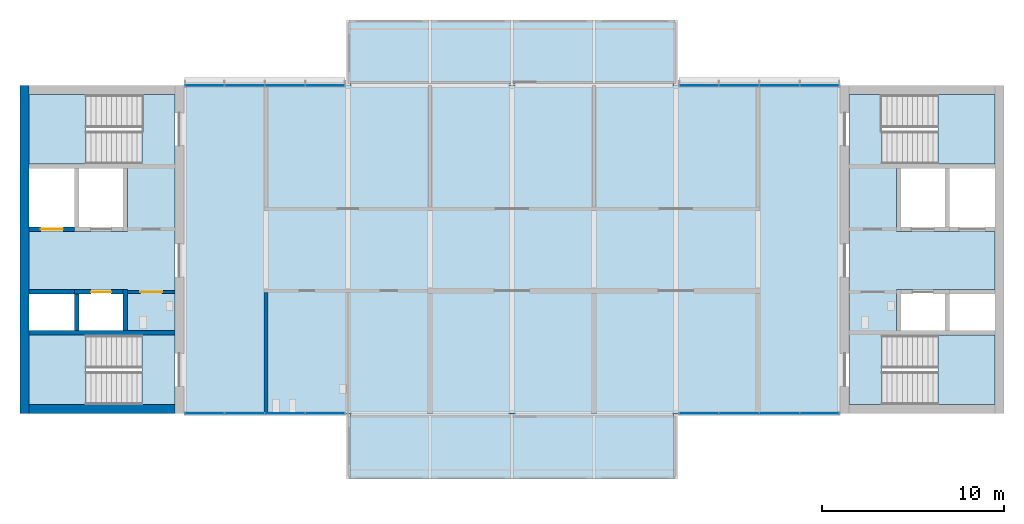
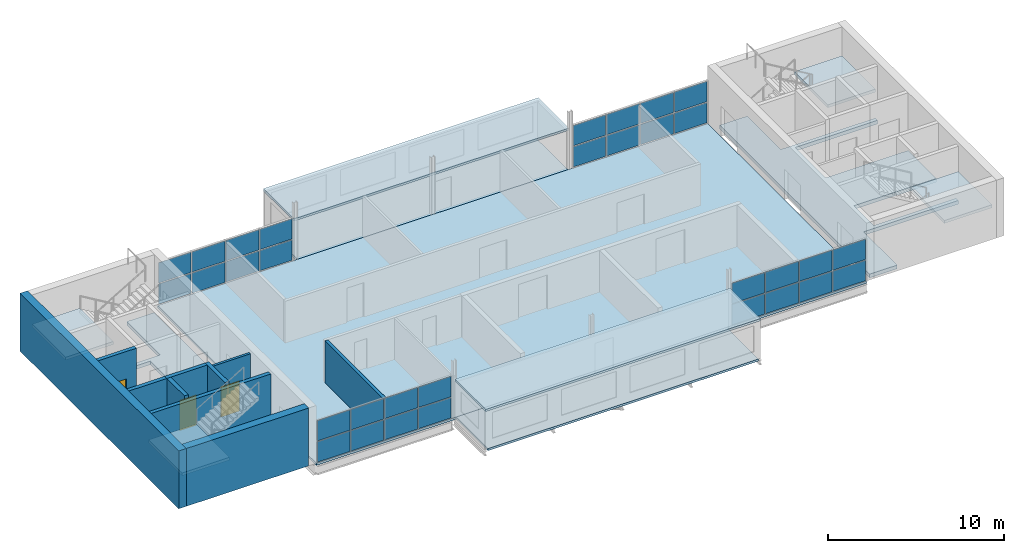
# One storey, part 4 of 10: 32 plates, 11 slabs, 10 walls, 3 doors, 3 openings, 8 elements without a shape of their own.
"""IFC4 building model written with IfcOpenShell, lengths in metres."""

import ifcopenshell
import ifcopenshell.guid

model = None  # the IFC model being written
_history = None  # IfcOwnerHistory: only IFC2X3 demands one
_inside = {}  # id of a spatial element -> (the spatial element, [elements in it])
_under = {}  # id of a project, library or spatial element -> (it, [spatial elements below it])
_declared = {}  # id of a project -> (the project, [libraries it declares])
_typed = {}  # id of a type object -> (the type object, [elements of that type])
_made_of = {}  # id of a material, layer set ... -> (it, [elements and type objects made of it])


def new_model(schema):
    """Start an empty IFC model of exactly this schema.

    Asked for "IFC4X3", IfcOpenShell would pick the latest addendum, in which some entities
    have other attributes; the version numbers below select the first issue.
    IFC2X3 requires an IfcOwnerHistory on every rooted entity: one is made here for all.
    """
    global model, _history
    if schema == "IFC4X3":
        model = ifcopenshell.file(schema_version=(4, 3, 0, 0))
    else:
        model = ifcopenshell.file(schema=schema)
    _inside.clear()
    _under.clear()
    _declared.clear()
    _typed.clear()
    _made_of.clear()
    _history = None
    if model.schema == "IFC2X3":
        org = make("IfcOrganization", Name="unknown")
        user = make(
            "IfcPersonAndOrganization",
            ThePerson=make("IfcPerson", FamilyName="unknown"),
            TheOrganization=org,
        )
        app = make(
            "IfcApplication",
            ApplicationDeveloper=org,
            Version="unknown",
            ApplicationFullName="unknown",
            ApplicationIdentifier="unknown",
        )
        _history = make(
            "IfcOwnerHistory",
            OwningUser=user,
            OwningApplication=app,
            ChangeAction="ADDED",
            CreationDate=0,
        )
    return model


def make(cls, **values):
    """One entity of the class cls with the attributes given. An attribute that is None is left unset."""
    return model.create_entity(
        cls, **{name: value for name, value in values.items() if value is not None}
    )


def rooted(cls, **values):
    """An entity with a GlobalId (a new one), such as an element, a storey or a relation."""
    return make(cls, GlobalId=ifcopenshell.guid.new(), OwnerHistory=_history, **values)


def si_unit(unit_type, name, prefix=None):
    """IfcSIUnit, for example si_unit("LENGTHUNIT", "METRE", prefix="MILLI")."""
    return make("IfcSIUnit", UnitType=unit_type, Prefix=prefix, Name=name)


def assignment(units):
    """IfcUnitAssignment: the units of a project."""
    return None if units is None else make("IfcUnitAssignment", Units=units)


def point(xyz):
    """IfcCartesianPoint."""
    return None if xyz is None else make("IfcCartesianPoint", Coordinates=xyz)


def direction(xyz):
    """IfcDirection."""
    return None if xyz is None else make("IfcDirection", DirectionRatios=xyz)


def frame(location, z_axis=None, x_axis=None):
    """IfcAxis2Placement3D, a coordinate frame: its origin and axes. An axis left out is left unset."""
    return make(
        "IfcAxis2Placement3D",
        Location=point(location),
        Axis=direction(z_axis),
        RefDirection=direction(x_axis),
    )


def frame_2d(location, x_axis=None):
    """IfcAxis2Placement2D, a coordinate frame in the plane: its origin and x axis."""
    return make(
        "IfcAxis2Placement2D", Location=point(location), RefDirection=direction(x_axis)
    )


def origin():
    """The frame at (0, 0, 0) with its axes left unset."""
    return frame((0.0, 0.0, 0.0))


def origin_2d():
    """The frame at (0, 0) in the plane with its x axis left unset."""
    return frame_2d((0.0, 0.0))


def place(relative_to, where):
    """IfcLocalPlacement: puts the frame where relative to a parent placement (None: the world)."""
    return make(
        "IfcLocalPlacement", PlacementRelTo=relative_to, RelativePlacement=where
    )


def context(
    kind, dimensions, precision=None, world=None, true_north=None, identifier=None
):
    """IfcGeometricRepresentationContext, for example the 3D "Model" context."""
    return make(
        "IfcGeometricRepresentationContext",
        ContextIdentifier=identifier,
        ContextType=kind,
        CoordinateSpaceDimension=dimensions,
        Precision=precision,
        WorldCoordinateSystem=world,
        TrueNorth=true_north,
    )


def subcontext(parent, identifier, kind, view, scale=None):
    """IfcGeometricRepresentationSubContext, for example "Body" below "Model"."""
    return make(
        "IfcGeometricRepresentationSubContext",
        ContextIdentifier=identifier,
        ContextType=kind,
        ParentContext=parent,
        TargetScale=scale,
        TargetView=view,
    )


def project(units=None, contexts=None):
    """IfcProject with its units and contexts."""
    return rooted(
        "IfcProject",
        Name="project",
        RepresentationContexts=contexts,
        UnitsInContext=assignment(units),
    )


def spatial(cls, under=None, at=None, **own):
    """A site, building, storey or space (cls), placed at a placement, below another one or the project."""
    s = rooted(cls, ObjectPlacement=at, **own)
    if under is not None:
        _under.setdefault(under.id(), (under, []))[1].append(s)
    return s


def polyline(points):
    """IfcPolyline through the points."""
    return make("IfcPolyline", Points=[point(p) for p in points])


def profile(cls, at=None, kind="AREA", **sizes):
    """A parametric profile (cls). Its sizes go by their IFC names, for example OverallWidth=200.0."""
    return make(cls, ProfileType=kind, Position=at, **sizes)


def rectangle(**sizes):
    """IfcRectangleProfileDef."""
    return profile("IfcRectangleProfileDef", **sizes)


def outline(outer, holes=None, kind="AREA"):
    """IfcArbitraryClosedProfileDef: a profile drawn as a closed curve; with holes, ...WithVoids."""
    if holes is None:
        return make("IfcArbitraryClosedProfileDef", ProfileType=kind, OuterCurve=outer)
    return make(
        "IfcArbitraryProfileDefWithVoids",
        ProfileType=kind,
        OuterCurve=outer,
        InnerCurves=holes,
    )


def extrude(swept, where, along, depth):
    """IfcExtrudedAreaSolid: the profile swept, set in the frame where, extruded along a direction by depth."""
    return make(
        "IfcExtrudedAreaSolid",
        SweptArea=swept,
        Position=where,
        ExtrudedDirection=direction(along),
        Depth=depth,
    )


def shape(context_of_items, identifier, shape_type, items):
    """IfcShapeRepresentation: the items that make up one representation, for example the "Body"."""
    return make(
        "IfcShapeRepresentation",
        ContextOfItems=context_of_items,
        RepresentationIdentifier=identifier,
        RepresentationType=shape_type,
        Items=items,
    )


def material(Name=None, Category=None):
    """IfcMaterial."""
    return make("IfcMaterial", Name=Name, Category=Category)


def layer(
    of_material, thickness, ventilated=None, Name=None, Category=None, Priority=None
):
    """IfcMaterialLayer: one layer of a wall or slab, of a material (None: an air gap)."""
    return make(
        "IfcMaterialLayer",
        Material=of_material,
        LayerThickness=thickness,
        IsVentilated=ventilated,
        Name=Name,
        Category=Category,
        Priority=Priority,
    )


def layer_set(layers, Name=None):
    """IfcMaterialLayerSet."""
    return make("IfcMaterialLayerSet", MaterialLayers=layers, LayerSetName=Name)


def made_of(thing, what):
    """Note that an element or type object is made of a material, layer set ...; save() writes the relation."""
    if what is not None:
        _made_of.setdefault(what.id(), (what, []))[1].append(thing)
    return thing


def type_object(cls, material=None, **own):
    """A type object (cls), such as IfcWallType, which elements share."""
    return made_of(rooted(cls, **own), material)


def element(
    cls,
    number,
    at=None,
    inside=None,
    cuts=None,
    type_object=None,
    material=None,
    context=None,
    identifier="Body",
    shape_type=None,
    held_by="IfcProductDefinitionShape",
    body=None,
    shapes=None,
    **own,
):
    """One element of the class cls, such as IfcWall. Its Tag is "e" and its number.

    at: its placement. inside: the storey or other place that contains it. cuts: it is an
    opening in that element (IfcRelVoidsElement). A single representation is given by context,
    identifier, shape_type and body (its items); several are given by shapes. held_by: the class
    of the entity that holds the representations. save() writes the other relations.
    """
    e = rooted(cls, Tag="e%d" % number, ObjectPlacement=at, **own)
    if body is not None:
        shapes = [shape(context, identifier, shape_type, body)]
    if shapes is not None:
        e.Representation = make(held_by, Representations=shapes)
    if inside is not None:
        _inside.setdefault(inside.id(), (inside, []))[1].append(e)
    if cuts is not None:
        rooted(
            "IfcRelVoidsElement", RelatingBuildingElement=cuts, RelatedOpeningElement=e
        )
    if type_object is not None:
        _typed.setdefault(type_object.id(), (type_object, []))[1].append(e)
    return made_of(e, material)


def fill(opening, filler):
    """IfcRelFillsElement: the door or window that sits in an opening."""
    return rooted(
        "IfcRelFillsElement",
        RelatingOpeningElement=opening,
        RelatedBuildingElement=filler,
    )


def aggregate(whole, parts):
    """IfcRelAggregates: a whole, such as a stair, and the parts it consists of."""
    return rooted("IfcRelAggregates", RelatingObject=whole, RelatedObjects=parts)


def save(model, path):
    """Write the relations noted so far, then the file.

    IfcRelAggregates (storeys below a building ...), IfcRelContainedInSpatialStructure (elements
    in a storey), IfcRelDefinesByType, IfcRelAssociatesMaterial and IfcRelDeclares: one each for
    every whole, place, type object, material and project.
    """
    for whole, parts in _under.values():
        aggregate(whole, parts)
    for where, things in _inside.values():
        rooted(
            "IfcRelContainedInSpatialStructure",
            RelatedElements=things,
            RelatingStructure=where,
        )
    for kind, things in _typed.values():
        rooted("IfcRelDefinesByType", RelatedObjects=things, RelatingType=kind)
    for what, things in _made_of.values():
        rooted("IfcRelAssociatesMaterial", RelatedObjects=things, RelatingMaterial=what)
    for by, libraries in _declared.values():
        rooted("IfcRelDeclares", RelatingContext=by, RelatedDefinitions=libraries)
    model.write(path)


model = new_model("IFC4")

# Units and contexts
model_context = context("Model", 3, precision=1e-05, world=origin(), true_north=direction((0.0, 1.0)))
body_context = subcontext(model_context, "Body", "Model", "MODEL_VIEW")
ifc_project = project(units=[si_unit("LENGTHUNIT", "METRE"), si_unit("AREAUNIT", "SQUARE_METRE"), si_unit("VOLUMEUNIT", "CUBIC_METRE"), si_unit("PLANEANGLEUNIT", "RADIAN"), si_unit("MASSUNIT", "GRAM", prefix="KILO")], contexts=[model_context])

# Site, building, storey
site_placement = place(None, origin())
site = spatial("IfcSite", under=ifc_project, at=site_placement, CompositionType="ELEMENT")
building_placement = place(site_placement, origin())
building = spatial("IfcBuilding", under=site, at=building_placement, Name="Corbel Yard City Hall", CompositionType="ELEMENT")
storey_placement = place(building_placement, frame((0.0, 0.0, 67.199951171875)))
storey = spatial("IfcBuildingStorey", under=building, at=storey_placement, Name="L16", CompositionType="ELEMENT", Elevation=67.199951171875)

# Slabs
ifc_material_1 = material(Name="Concrete N40 (40 MPa)", Category="concrete")
ifc_layer_1 = layer(ifc_material_1, 0.25)
ifc_layer_set_1 = layer_set([ifc_layer_1], Name="Concrete N40 (40 MPa)")
slab_type_1 = type_object("IfcSlabType", Name="CF1", PredefinedType="FLOOR", material=ifc_layer_set_1)
slab_1_placement = place(storey_placement, frame((0.0, 0.0, -0.25)))
element("IfcSlab", 1, at=slab_1_placement, inside=storey, type_object=slab_type_1, Name="Core floor slab", PredefinedType="FLOOR", context=body_context, shape_type="SweptSolid", body=[
    extrude(outline(polyline([(8.5, 116.5), (6.698974609375, 116.5), (6.698974609375, 112.699951171875), (0.5, 112.699951171875), (0.5, 112.449951171875), (5.89990234375, 112.449951171875), (5.89990234375, 109.0), (0.5, 109.0), (0.5, 105.800048828125), (5.89990234375, 105.800048828125), (5.89990234375, 103.550048828125), (0.5, 103.550048828125), (0.5, 103.300048828125), (6.698974609375, 103.300048828125), (6.698974609375, 99.5), (8.5, 99.5), (8.5, 116.5)])), origin(), (0.0, 0.0, 1.0), 0.25),
])
slab_2_placement = place(storey_placement, frame((0.0, 0.0, -0.25)))
element("IfcSlab", 2, at=slab_2_placement, inside=storey, type_object=slab_type_1, Name="Core floor slab", PredefinedType="FLOOR", context=body_context, shape_type="SweptSolid", body=[
    extrude(outline(polyline([(53.5, 103.300048828125), (53.5, 103.550048828125), (48.10009765625, 103.550048828125), (48.10009765625, 105.800048828125), (53.5, 105.800048828125), (53.5, 109.0), (48.10009765625, 109.0), (48.10009765625, 112.449951171875), (53.5, 112.449951171875), (53.5, 112.699951171875), (47.301025390625, 112.699951171875), (47.301025390625, 116.5), (45.5, 116.5), (45.5, 99.5), (47.301025390625, 99.5), (47.301025390625, 103.300048828125), (53.5, 103.300048828125)])), origin(), (0.0, 0.0, 1.0), 0.25),
])
ifc_layer_2 = layer(ifc_material_1, 0.14990234375)
ifc_layer_set_2 = layer_set([ifc_layer_2], Name="Concrete N40 (40 MPa)")
slab_type_2 = type_object("IfcSlabType", Name="Floor slab 150", PredefinedType="FLOOR", material=ifc_layer_set_2)
slab_3_placement = place(storey_placement, frame((0.0, 0.0, -0.14990234375)))
element("IfcSlab", 3, at=slab_3_placement, inside=storey, type_object=slab_type_2, Name="Tower floor slab L16", PredefinedType="FLOOR", context=body_context, shape_type="SweptSolid", body=[
    extrude(outline(polyline([(45.0, 99.0), (45.0, 117.0), (9.0, 117.0), (9.0, 99.0), (45.0, 99.0)])), origin(), (0.0, 0.0, 1.0), 0.14990234375),
])

# Stair, slab
stair_type = type_object("IfcStairType", Name="ST4", PredefinedType="HALF_TURN_STAIR", material=ifc_material_1)
stair_1_placement = place(storey_placement, origin())
stair_1 = element("IfcStair", 4, at=stair_1_placement, inside=storey, type_object=stair_type, Name="Exit stair ST-W1 L16", PredefinedType="HALF_TURN_STAIR")
ifc_layer_3 = layer(ifc_material_1, 0.199951171875)
ifc_layer_set_3 = layer_set([ifc_layer_3], Name="Concrete N40 (40 MPa)")
slab_type_3 = type_object("IfcSlabType", Name="LN1", PredefinedType="LANDING", material=ifc_layer_set_3)
slab_4_placement = place(storey_placement, frame((0.0, 0.0, 1.800048828125)))
slab_4 = element("IfcSlab", 5, at=slab_4_placement, type_object=slab_type_3, Name="ST-W1 landing 1", PredefinedType="LANDING", context=body_context, shape_type="SweptSolid", body=[
    extrude(outline(polyline([(0.5, 99.5), (3.6201171875, 99.5), (3.6201171875, 103.300048828125), (0.5, 103.300048828125), (0.5, 99.5)])), origin(), (0.0, 0.0, 1.0), 0.199951171875),
])
aggregate(stair_1, [slab_4])

stair_2_placement = place(storey_placement, origin())
stair_2 = element("IfcStair", 6, at=stair_2_placement, inside=storey, type_object=stair_type, Name="Exit stair ST-W2 L16", PredefinedType="HALF_TURN_STAIR")
slab_5_placement = place(storey_placement, frame((0.0, 0.0, 1.800048828125)))
slab_5 = element("IfcSlab", 7, at=slab_5_placement, type_object=slab_type_3, Name="ST-W2 landing 1", PredefinedType="LANDING", context=body_context, shape_type="SweptSolid", body=[
    extrude(outline(polyline([(0.5, 112.699951171875), (3.6201171875, 112.699951171875), (3.6201171875, 116.5), (0.5, 116.5), (0.5, 112.699951171875)])), origin(), (0.0, 0.0, 1.0), 0.199951171875),
])
aggregate(stair_2, [slab_5])

stair_3_placement = place(storey_placement, origin())
stair_3 = element("IfcStair", 8, at=stair_3_placement, inside=storey, type_object=stair_type, Name="Exit stair ST-E1 L16", PredefinedType="HALF_TURN_STAIR")
slab_6_placement = place(storey_placement, frame((0.0, 0.0, 1.800048828125)))
slab_6 = element("IfcSlab", 9, at=slab_6_placement, type_object=slab_type_3, Name="ST-E1 landing 1", PredefinedType="LANDING", context=body_context, shape_type="SweptSolid", body=[
    extrude(outline(polyline([(50.3798828125, 99.5), (53.5, 99.5), (53.5, 103.300048828125), (50.3798828125, 103.300048828125), (50.3798828125, 99.5)])), origin(), (0.0, 0.0, 1.0), 0.199951171875),
])
aggregate(stair_3, [slab_6])

stair_4_placement = place(storey_placement, origin())
stair_4 = element("IfcStair", 10, at=stair_4_placement, inside=storey, type_object=stair_type, Name="Exit stair ST-E2 L16", PredefinedType="HALF_TURN_STAIR")
slab_7_placement = place(storey_placement, frame((0.0, 0.0, 1.800048828125)))
slab_7 = element("IfcSlab", 11, at=slab_7_placement, type_object=slab_type_3, Name="ST-E2 landing 1", PredefinedType="LANDING", context=body_context, shape_type="SweptSolid", body=[
    extrude(outline(polyline([(50.3798828125, 112.699951171875), (53.5, 112.699951171875), (53.5, 116.5), (50.3798828125, 116.5), (50.3798828125, 112.699951171875)])), origin(), (0.0, 0.0, 1.0), 0.199951171875),
])
aggregate(stair_4, [slab_7])

# Slabs
ifc_material_2 = material(Name="Concrete N32 (32 MPa)", Category="concrete")
ifc_layer_4 = layer(ifc_material_2, 0.14990234375)
ifc_layer_set_4 = layer_set([ifc_layer_4], Name="Concrete N32 (32 MPa)")
slab_type_4 = type_object("IfcSlabType", Name="PF1", PredefinedType="FLOOR", material=ifc_layer_set_4)
slab_8_placement = place(storey_placement, frame((0.0, 0.0, -0.14990234375)))
element("IfcSlab", 12, at=slab_8_placement, inside=storey, type_object=slab_type_4, Name="Pod floor slab L16", PredefinedType="FLOOR", context=body_context, shape_type="SweptSolid", body=[
    extrude(outline(polyline([(18.14990234375, 95.39990234375), (35.85009765625, 95.39990234375), (35.85009765625, 99.0), (18.14990234375, 99.0), (18.14990234375, 95.39990234375)])), origin(), (0.0, 0.0, 1.0), 0.14990234375),
])
slab_9_placement = place(storey_placement, frame((0.0, 0.0, -0.14990234375)))
element("IfcSlab", 13, at=slab_9_placement, inside=storey, type_object=slab_type_4, Name="Pod floor slab L16", PredefinedType="FLOOR", context=body_context, shape_type="SweptSolid", body=[
    extrude(outline(polyline([(18.14990234375, 117.0), (35.85009765625, 117.0), (35.85009765625, 120.60009765625), (18.14990234375, 120.60009765625), (18.14990234375, 117.0)])), origin(), (0.0, 0.0, 1.0), 0.14990234375),
])
ifc_layer_5 = layer(ifc_material_2, 0.14990234375)
ifc_layer_set_5 = layer_set([ifc_layer_5], Name="Concrete N32 (32 MPa)")
slab_type_5 = type_object("IfcSlabType", Name="PH1", PredefinedType="ROOF", material=ifc_layer_set_5)
slab_10_placement = place(storey_placement, frame((0.0, 0.0, 2.60009765625)))
element("IfcSlab", 14, at=slab_10_placement, inside=storey, type_object=slab_type_5, Name="Pod roof slab L16", PredefinedType="ROOF", context=body_context, shape_type="SweptSolid", body=[
    extrude(outline(polyline([(18.0, 95.39990234375), (36.0, 95.39990234375), (36.0, 98.8720703125), (18.0, 98.8720703125), (18.0, 95.39990234375)])), origin(), (0.0, 0.0, 1.0), 0.14990234375),
])
slab_11_placement = place(storey_placement, frame((0.0, 0.0, 2.60009765625)))
element("IfcSlab", 15, at=slab_11_placement, inside=storey, type_object=slab_type_5, Name="Pod roof slab L16", PredefinedType="ROOF", context=body_context, shape_type="SweptSolid", body=[
    extrude(outline(polyline([(18.0, 120.60009765625), (18.0, 117.1279296875), (36.0, 117.1279296875), (36.0, 120.60009765625), (18.0, 120.60009765625)])), origin(), (0.0, 0.0, 1.0), 0.14990234375),
])

# Curtain wall, plates
ifc_material_3 = material(Name="Aluminium extrusion", Category="aluminium")
ifc_layer_6 = layer(ifc_material_3, 0.14990234375)
ifc_layer_set_6 = layer_set([ifc_layer_6], Name="Aluminium extrusion")
curtain_wall_type_1 = type_object("IfcCurtainWallType", Name="CW2", PredefinedType="USERDEFINED", material=ifc_layer_set_6)
curtain_wall_1_placement = place(storey_placement, origin())
curtain_wall_1 = element("IfcCurtainWall", 16, at=curtain_wall_1_placement, inside=storey, type_object=curtain_wall_type_1, Name="Curtain wall CW2 L16", ObjectType="CURTAIN WALL", PredefinedType="USERDEFINED")
ifc_material_4 = material(Name="Double glazed low-e glass unit", Category="glass")
ifc_layer_7 = layer(ifc_material_4, 0.028076171875)
ifc_layer_set_7 = layer_set([ifc_layer_7], Name="Double glazed low-e glass unit")
plate_type_1 = type_object("IfcPlateType", Name="PN2", PredefinedType="CURTAIN_PANEL", material=ifc_layer_set_7)
plate_1_placement = place(storey_placement, frame((10.125, 99.0, 0.06494140625), z_axis=(0.0, 0.0, 1.0), x_axis=(1.0, 0.0, 0.0)))
plate_1 = element("IfcPlate", 17, at=plate_1_placement, type_object=plate_type_1, Name="CW2 panel 1.1", PredefinedType="CURTAIN_PANEL", context=body_context, shape_type="SweptSolid", body=[
    extrude(rectangle(XDim=2.1201171875, YDim=0.028076171875, at=origin_2d()), origin(), (0.0, 0.0, 1.0), 1.402587890625),
])
plate_2_placement = place(storey_placement, frame((10.125, 99.0, 1.53271484375), z_axis=(0.0, 0.0, 1.0), x_axis=(1.0, 0.0, 0.0)))
plate_2 = element("IfcPlate", 18, at=plate_2_placement, type_object=plate_type_1, Name="CW2 panel 1.2", PredefinedType="CURTAIN_PANEL", context=body_context, shape_type="SweptSolid", body=[
    extrude(rectangle(XDim=2.1201171875, YDim=0.028076171875, at=origin_2d()), origin(), (0.0, 0.0, 1.0), 1.402587890625),
])
plate_3_placement = place(storey_placement, frame((12.326171875, 99.0, 0.06494140625), z_axis=(0.0, 0.0, 1.0), x_axis=(1.0, 0.0, 0.0)))
plate_3 = element("IfcPlate", 19, at=plate_3_placement, type_object=plate_type_1, Name="CW2 panel 2.1", PredefinedType="CURTAIN_PANEL", context=body_context, shape_type="SweptSolid", body=[
    extrude(rectangle(XDim=2.152587890625, YDim=0.028076171875, at=origin_2d()), origin(), (0.0, 0.0, 1.0), 1.402587890625),
])
plate_4_placement = place(storey_placement, frame((12.326171875, 99.0, 1.53271484375), z_axis=(0.0, 0.0, 1.0), x_axis=(1.0, 0.0, 0.0)))
plate_4 = element("IfcPlate", 20, at=plate_4_placement, type_object=plate_type_1, Name="CW2 panel 2.2", PredefinedType="CURTAIN_PANEL", context=body_context, shape_type="SweptSolid", body=[
    extrude(rectangle(XDim=2.152587890625, YDim=0.028076171875, at=origin_2d()), origin(), (0.0, 0.0, 1.0), 1.402587890625),
])
plate_5_placement = place(storey_placement, frame((14.543701171875, 99.0, 0.06494140625), z_axis=(0.0, 0.0, 1.0), x_axis=(1.0, 0.0, 0.0)))
plate_5 = element("IfcPlate", 21, at=plate_5_placement, type_object=plate_type_1, Name="CW2 panel 3.1", PredefinedType="CURTAIN_PANEL", context=body_context, shape_type="SweptSolid", body=[
    extrude(rectangle(XDim=2.152587890625, YDim=0.028076171875, at=origin_2d()), origin(), (0.0, 0.0, 1.0), 1.402587890625),
])
plate_6_placement = place(storey_placement, frame((14.543701171875, 99.0, 1.53271484375), z_axis=(0.0, 0.0, 1.0), x_axis=(1.0, 0.0, 0.0)))
plate_6 = element("IfcPlate", 22, at=plate_6_placement, type_object=plate_type_1, Name="CW2 panel 3.2", PredefinedType="CURTAIN_PANEL", context=body_context, shape_type="SweptSolid", body=[
    extrude(rectangle(XDim=2.152587890625, YDim=0.028076171875, at=origin_2d()), origin(), (0.0, 0.0, 1.0), 1.402587890625),
])
plate_7_placement = place(storey_placement, frame((16.7451171875, 99.0, 0.06494140625), z_axis=(0.0, 0.0, 1.0), x_axis=(1.0, 0.0, 0.0)))
plate_7 = element("IfcPlate", 23, at=plate_7_placement, type_object=plate_type_1, Name="CW2 panel 4.1", PredefinedType="CURTAIN_PANEL", context=body_context, shape_type="SweptSolid", body=[
    extrude(rectangle(XDim=2.1201171875, YDim=0.028076171875, at=origin_2d()), origin(), (0.0, 0.0, 1.0), 1.402587890625),
])
plate_8_placement = place(storey_placement, frame((16.7451171875, 99.0, 1.53271484375), z_axis=(0.0, 0.0, 1.0), x_axis=(1.0, 0.0, 0.0)))
plate_8 = element("IfcPlate", 24, at=plate_8_placement, type_object=plate_type_1, Name="CW2 panel 4.2", PredefinedType="CURTAIN_PANEL", context=body_context, shape_type="SweptSolid", body=[
    extrude(rectangle(XDim=2.1201171875, YDim=0.028076171875, at=origin_2d()), origin(), (0.0, 0.0, 1.0), 1.402587890625),
])
aggregate(curtain_wall_1, [plate_1, plate_2, plate_3, plate_4, plate_5, plate_6, plate_7, plate_8])

curtain_wall_2_placement = place(storey_placement, origin())
curtain_wall_2 = element("IfcCurtainWall", 25, at=curtain_wall_2_placement, inside=storey, type_object=curtain_wall_type_1, Name="Curtain wall CW2 L16", ObjectType="CURTAIN WALL", PredefinedType="USERDEFINED")
plate_9_placement = place(storey_placement, frame((37.2548828125, 99.0, 0.06494140625), z_axis=(0.0, 0.0, 1.0), x_axis=(1.0, 0.0, 0.0)))
plate_9 = element("IfcPlate", 26, at=plate_9_placement, type_object=plate_type_1, Name="CW2 panel 1.1", PredefinedType="CURTAIN_PANEL", context=body_context, shape_type="SweptSolid", body=[
    extrude(rectangle(XDim=2.1201171875, YDim=0.028076171875, at=origin_2d()), origin(), (0.0, 0.0, 1.0), 1.402587890625),
])
plate_10_placement = place(storey_placement, frame((37.2548828125, 99.0, 1.53271484375), z_axis=(0.0, 0.0, 1.0), x_axis=(1.0, 0.0, 0.0)))
plate_10 = element("IfcPlate", 27, at=plate_10_placement, type_object=plate_type_1, Name="CW2 panel 1.2", PredefinedType="CURTAIN_PANEL", context=body_context, shape_type="SweptSolid", body=[
    extrude(rectangle(XDim=2.1201171875, YDim=0.028076171875, at=origin_2d()), origin(), (0.0, 0.0, 1.0), 1.402587890625),
])
plate_11_placement = place(storey_placement, frame((39.456298828125, 99.0, 0.06494140625), z_axis=(0.0, 0.0, 1.0), x_axis=(1.0, 0.0, 0.0)))
plate_11 = element("IfcPlate", 28, at=plate_11_placement, type_object=plate_type_1, Name="CW2 panel 2.1", PredefinedType="CURTAIN_PANEL", context=body_context, shape_type="SweptSolid", body=[
    extrude(rectangle(XDim=2.152587890625, YDim=0.028076171875, at=origin_2d()), origin(), (0.0, 0.0, 1.0), 1.402587890625),
])
plate_12_placement = place(storey_placement, frame((39.456298828125, 99.0, 1.53271484375), z_axis=(0.0, 0.0, 1.0), x_axis=(1.0, 0.0, 0.0)))
plate_12 = element("IfcPlate", 29, at=plate_12_placement, type_object=plate_type_1, Name="CW2 panel 2.2", PredefinedType="CURTAIN_PANEL", context=body_context, shape_type="SweptSolid", body=[
    extrude(rectangle(XDim=2.152587890625, YDim=0.028076171875, at=origin_2d()), origin(), (0.0, 0.0, 1.0), 1.402587890625),
])
plate_13_placement = place(storey_placement, frame((41.673828125, 99.0, 0.06494140625), z_axis=(0.0, 0.0, 1.0), x_axis=(1.0, 0.0, 0.0)))
plate_13 = element("IfcPlate", 30, at=plate_13_placement, type_object=plate_type_1, Name="CW2 panel 3.1", PredefinedType="CURTAIN_PANEL", context=body_context, shape_type="SweptSolid", body=[
    extrude(rectangle(XDim=2.152587890625, YDim=0.028076171875, at=origin_2d()), origin(), (0.0, 0.0, 1.0), 1.402587890625),
])
plate_14_placement = place(storey_placement, frame((41.673828125, 99.0, 1.53271484375), z_axis=(0.0, 0.0, 1.0), x_axis=(1.0, 0.0, 0.0)))
plate_14 = element("IfcPlate", 31, at=plate_14_placement, type_object=plate_type_1, Name="CW2 panel 3.2", PredefinedType="CURTAIN_PANEL", context=body_context, shape_type="SweptSolid", body=[
    extrude(rectangle(XDim=2.152587890625, YDim=0.028076171875, at=origin_2d()), origin(), (0.0, 0.0, 1.0), 1.402587890625),
])
plate_15_placement = place(storey_placement, frame((43.875, 99.0, 0.06494140625), z_axis=(0.0, 0.0, 1.0), x_axis=(1.0, 0.0, 0.0)))
plate_15 = element("IfcPlate", 32, at=plate_15_placement, type_object=plate_type_1, Name="CW2 panel 4.1", PredefinedType="CURTAIN_PANEL", context=body_context, shape_type="SweptSolid", body=[
    extrude(rectangle(XDim=2.1201171875, YDim=0.028076171875, at=origin_2d()), origin(), (0.0, 0.0, 1.0), 1.402587890625),
])
plate_16_placement = place(storey_placement, frame((43.875, 99.0, 1.53271484375), z_axis=(0.0, 0.0, 1.0), x_axis=(1.0, 0.0, 0.0)))
plate_16 = element("IfcPlate", 33, at=plate_16_placement, type_object=plate_type_1, Name="CW2 panel 4.2", PredefinedType="CURTAIN_PANEL", context=body_context, shape_type="SweptSolid", body=[
    extrude(rectangle(XDim=2.1201171875, YDim=0.028076171875, at=origin_2d()), origin(), (0.0, 0.0, 1.0), 1.402587890625),
])
aggregate(curtain_wall_2, [plate_9, plate_10, plate_11, plate_12, plate_13, plate_14, plate_15, plate_16])

ifc_layer_8 = layer(ifc_material_3, 0.179931640625)
ifc_layer_set_8 = layer_set([ifc_layer_8], Name="Aluminium extrusion")
curtain_wall_type_2 = type_object("IfcCurtainWallType", Name="CW6", PredefinedType="USERDEFINED", material=ifc_layer_set_8)
curtain_wall_3_placement = place(storey_placement, origin())
curtain_wall_3 = element("IfcCurtainWall", 34, at=curtain_wall_3_placement, inside=storey, type_object=curtain_wall_type_2, Name="Curtain wall CW6 L16", ObjectType="CURTAIN WALL", PredefinedType="USERDEFINED")
ifc_material_5 = material(Name="Double glazed low-e glass unit, ceramic fritted", Category="glass")
ifc_layer_9 = layer(ifc_material_5, 0.02392578125)
ifc_layer_set_9 = layer_set([ifc_layer_9], Name="Double glazed low-e glass unit, ceramic fritted")
plate_type_2 = type_object("IfcPlateType", Name="PN7", PredefinedType="CURTAIN_PANEL", material=ifc_layer_set_9)
plate_17_placement = place(storey_placement, frame((10.125, 117.0, 0.06494140625), z_axis=(0.0, 0.0, 1.0), x_axis=(1.0, 0.0, 0.0)))
plate_17 = element("IfcPlate", 35, at=plate_17_placement, type_object=plate_type_2, Name="CW6 panel 1.1", PredefinedType="CURTAIN_PANEL", context=body_context, shape_type="SweptSolid", body=[
    extrude(rectangle(XDim=2.1201171875, YDim=0.02392578125, at=origin_2d()), origin(), (0.0, 0.0, 1.0), 1.402587890625),
])
plate_18_placement = place(storey_placement, frame((10.125, 117.0, 1.53271484375), z_axis=(0.0, 0.0, 1.0), x_axis=(1.0, 0.0, 0.0)))
plate_18 = element("IfcPlate", 36, at=plate_18_placement, type_object=plate_type_2, Name="CW6 panel 1.2", PredefinedType="CURTAIN_PANEL", context=body_context, shape_type="SweptSolid", body=[
    extrude(rectangle(XDim=2.1201171875, YDim=0.02392578125, at=origin_2d()), origin(), (0.0, 0.0, 1.0), 1.402587890625),
])
plate_19_placement = place(storey_placement, frame((12.326171875, 117.0, 0.06494140625), z_axis=(0.0, 0.0, 1.0), x_axis=(1.0, 0.0, 0.0)))
plate_19 = element("IfcPlate", 37, at=plate_19_placement, type_object=plate_type_2, Name="CW6 panel 2.1", PredefinedType="CURTAIN_PANEL", context=body_context, shape_type="SweptSolid", body=[
    extrude(rectangle(XDim=2.152587890625, YDim=0.02392578125, at=origin_2d()), origin(), (0.0, 0.0, 1.0), 1.402587890625),
])
plate_20_placement = place(storey_placement, frame((12.326171875, 117.0, 1.53271484375), z_axis=(0.0, 0.0, 1.0), x_axis=(1.0, 0.0, 0.0)))
plate_20 = element("IfcPlate", 38, at=plate_20_placement, type_object=plate_type_2, Name="CW6 panel 2.2", PredefinedType="CURTAIN_PANEL", context=body_context, shape_type="SweptSolid", body=[
    extrude(rectangle(XDim=2.152587890625, YDim=0.02392578125, at=origin_2d()), origin(), (0.0, 0.0, 1.0), 1.402587890625),
])
plate_21_placement = place(storey_placement, frame((14.543701171875, 117.0, 0.06494140625), z_axis=(0.0, 0.0, 1.0), x_axis=(1.0, 0.0, 0.0)))
plate_21 = element("IfcPlate", 39, at=plate_21_placement, type_object=plate_type_2, Name="CW6 panel 3.1", PredefinedType="CURTAIN_PANEL", context=body_context, shape_type="SweptSolid", body=[
    extrude(rectangle(XDim=2.152587890625, YDim=0.02392578125, at=origin_2d()), origin(), (0.0, 0.0, 1.0), 1.402587890625),
])
plate_22_placement = place(storey_placement, frame((14.543701171875, 117.0, 1.53271484375), z_axis=(0.0, 0.0, 1.0), x_axis=(1.0, 0.0, 0.0)))
plate_22 = element("IfcPlate", 40, at=plate_22_placement, type_object=plate_type_2, Name="CW6 panel 3.2", PredefinedType="CURTAIN_PANEL", context=body_context, shape_type="SweptSolid", body=[
    extrude(rectangle(XDim=2.152587890625, YDim=0.02392578125, at=origin_2d()), origin(), (0.0, 0.0, 1.0), 1.402587890625),
])
plate_23_placement = place(storey_placement, frame((16.7451171875, 117.0, 0.06494140625), z_axis=(0.0, 0.0, 1.0), x_axis=(1.0, 0.0, 0.0)))
plate_23 = element("IfcPlate", 41, at=plate_23_placement, type_object=plate_type_2, Name="CW6 panel 4.1", PredefinedType="CURTAIN_PANEL", context=body_context, shape_type="SweptSolid", body=[
    extrude(rectangle(XDim=2.1201171875, YDim=0.02392578125, at=origin_2d()), origin(), (0.0, 0.0, 1.0), 1.402587890625),
])
plate_24_placement = place(storey_placement, frame((16.7451171875, 117.0, 1.53271484375), z_axis=(0.0, 0.0, 1.0), x_axis=(1.0, 0.0, 0.0)))
plate_24 = element("IfcPlate", 42, at=plate_24_placement, type_object=plate_type_2, Name="CW6 panel 4.2", PredefinedType="CURTAIN_PANEL", context=body_context, shape_type="SweptSolid", body=[
    extrude(rectangle(XDim=2.1201171875, YDim=0.02392578125, at=origin_2d()), origin(), (0.0, 0.0, 1.0), 1.402587890625),
])
aggregate(curtain_wall_3, [plate_17, plate_18, plate_19, plate_20, plate_21, plate_22, plate_23, plate_24])

curtain_wall_4_placement = place(storey_placement, origin())
curtain_wall_4 = element("IfcCurtainWall", 43, at=curtain_wall_4_placement, inside=storey, type_object=curtain_wall_type_2, Name="Curtain wall CW6 L16", ObjectType="CURTAIN WALL", PredefinedType="USERDEFINED")
plate_25_placement = place(storey_placement, frame((37.2548828125, 117.0, 0.06494140625), z_axis=(0.0, 0.0, 1.0), x_axis=(1.0, 0.0, 0.0)))
plate_25 = element("IfcPlate", 44, at=plate_25_placement, type_object=plate_type_2, Name="CW6 panel 1.1", PredefinedType="CURTAIN_PANEL", context=body_context, shape_type="SweptSolid", body=[
    extrude(rectangle(XDim=2.1201171875, YDim=0.02392578125, at=origin_2d()), origin(), (0.0, 0.0, 1.0), 1.402587890625),
])
plate_26_placement = place(storey_placement, frame((37.2548828125, 117.0, 1.53271484375), z_axis=(0.0, 0.0, 1.0), x_axis=(1.0, 0.0, 0.0)))
plate_26 = element("IfcPlate", 45, at=plate_26_placement, type_object=plate_type_2, Name="CW6 panel 1.2", PredefinedType="CURTAIN_PANEL", context=body_context, shape_type="SweptSolid", body=[
    extrude(rectangle(XDim=2.1201171875, YDim=0.02392578125, at=origin_2d()), origin(), (0.0, 0.0, 1.0), 1.402587890625),
])
plate_27_placement = place(storey_placement, frame((39.456298828125, 117.0, 0.06494140625), z_axis=(0.0, 0.0, 1.0), x_axis=(1.0, 0.0, 0.0)))
plate_27 = element("IfcPlate", 46, at=plate_27_placement, type_object=plate_type_2, Name="CW6 panel 2.1", PredefinedType="CURTAIN_PANEL", context=body_context, shape_type="SweptSolid", body=[
    extrude(rectangle(XDim=2.152587890625, YDim=0.02392578125, at=origin_2d()), origin(), (0.0, 0.0, 1.0), 1.402587890625),
])
plate_28_placement = place(storey_placement, frame((39.456298828125, 117.0, 1.53271484375), z_axis=(0.0, 0.0, 1.0), x_axis=(1.0, 0.0, 0.0)))
plate_28 = element("IfcPlate", 47, at=plate_28_placement, type_object=plate_type_2, Name="CW6 panel 2.2", PredefinedType="CURTAIN_PANEL", context=body_context, shape_type="SweptSolid", body=[
    extrude(rectangle(XDim=2.152587890625, YDim=0.02392578125, at=origin_2d()), origin(), (0.0, 0.0, 1.0), 1.402587890625),
])
plate_29_placement = place(storey_placement, frame((41.673828125, 117.0, 0.06494140625), z_axis=(0.0, 0.0, 1.0), x_axis=(1.0, 0.0, 0.0)))
plate_29 = element("IfcPlate", 48, at=plate_29_placement, type_object=plate_type_2, Name="CW6 panel 3.1", PredefinedType="CURTAIN_PANEL", context=body_context, shape_type="SweptSolid", body=[
    extrude(rectangle(XDim=2.152587890625, YDim=0.02392578125, at=origin_2d()), origin(), (0.0, 0.0, 1.0), 1.402587890625),
])
plate_30_placement = place(storey_placement, frame((41.673828125, 117.0, 1.53271484375), z_axis=(0.0, 0.0, 1.0), x_axis=(1.0, 0.0, 0.0)))
plate_30 = element("IfcPlate", 49, at=plate_30_placement, type_object=plate_type_2, Name="CW6 panel 3.2", PredefinedType="CURTAIN_PANEL", context=body_context, shape_type="SweptSolid", body=[
    extrude(rectangle(XDim=2.152587890625, YDim=0.02392578125, at=origin_2d()), origin(), (0.0, 0.0, 1.0), 1.402587890625),
])
plate_31_placement = place(storey_placement, frame((43.875, 117.0, 0.06494140625), z_axis=(0.0, 0.0, 1.0), x_axis=(1.0, 0.0, 0.0)))
plate_31 = element("IfcPlate", 50, at=plate_31_placement, type_object=plate_type_2, Name="CW6 panel 4.1", PredefinedType="CURTAIN_PANEL", context=body_context, shape_type="SweptSolid", body=[
    extrude(rectangle(XDim=2.1201171875, YDim=0.02392578125, at=origin_2d()), origin(), (0.0, 0.0, 1.0), 1.402587890625),
])
plate_32_placement = place(storey_placement, frame((43.875, 117.0, 1.53271484375), z_axis=(0.0, 0.0, 1.0), x_axis=(1.0, 0.0, 0.0)))
plate_32 = element("IfcPlate", 51, at=plate_32_placement, type_object=plate_type_2, Name="CW6 panel 4.2", PredefinedType="CURTAIN_PANEL", context=body_context, shape_type="SweptSolid", body=[
    extrude(rectangle(XDim=2.1201171875, YDim=0.02392578125, at=origin_2d()), origin(), (0.0, 0.0, 1.0), 1.402587890625),
])
aggregate(curtain_wall_4, [plate_25, plate_26, plate_27, plate_28, plate_29, plate_30, plate_31, plate_32])

# Walls
ifc_layer_10 = layer(ifc_material_1, 0.25)
ifc_layer_set_10 = layer_set([ifc_layer_10], Name="Concrete N40 (40 MPa)")
wall_type_1 = type_object("IfcWallType", Name="IW2", PredefinedType="SOLIDWALL", material=ifc_layer_set_10)
wall_1_placement = place(storey_placement, frame((8.5, 103.425048828125, 0.0), z_axis=(0.0, 0.0, 1.0), x_axis=(-1.0, 0.0, 0.0)))
element("IfcWall", 52, at=wall_1_placement, inside=storey, type_object=wall_type_1, Name="Stair enclosure wall", PredefinedType="SOLIDWALL", context=body_context, shape_type="SweptSolid", body=[
    extrude(rectangle(XDim=8.0, YDim=0.25, at=frame_2d((4.0, 0.0))), origin(), (0.0, 0.0, 1.0), 3.75),
])
wall_2_placement = place(storey_placement, frame((5.77490234375, 103.550048828125, 0.0), z_axis=(0.0, 0.0, 1.0), x_axis=(0.0, 1.0, 0.0)))
element("IfcWall", 53, at=wall_2_placement, inside=storey, type_object=wall_type_1, Name="Lift LP22 shaft wall", PredefinedType="SOLIDWALL", context=body_context, shape_type="SweptSolid", body=[
    extrude(rectangle(XDim=2.25, YDim=0.25, at=frame_2d((1.125, 0.0))), origin(), (0.0, 0.0, 1.0), 4.0),
])
wall_3_placement = place(storey_placement, frame((3.125, 103.550048828125, 0.0), z_axis=(0.0, 0.0, 1.0), x_axis=(0.0, 1.0, 0.0)))
element("IfcWall", 54, at=wall_3_placement, inside=storey, type_object=wall_type_1, Name="Lift LP22 shaft wall", PredefinedType="SOLIDWALL", context=body_context, shape_type="SweptSolid", body=[
    extrude(rectangle(XDim=2.0, YDim=0.25, at=frame_2d((1.0, 0.0))), origin(), (0.0, 0.0, 1.0), 4.0),
])

# Wall, opening, door
wall_4_placement = place(storey_placement, frame((5.64990234375, 105.675048828125, 0.0), z_axis=(0.0, 0.0, 1.0), x_axis=(-1.0, 0.0, 0.0)))
wall_4 = element("IfcWall", 55, at=wall_4_placement, inside=storey, type_object=wall_type_1, Name="Lift LP22 shaft wall", PredefinedType="SOLIDWALL", context=body_context, shape_type="SweptSolid", body=[
    extrude(rectangle(XDim=2.64990234375, YDim=0.25, at=frame_2d((1.324951171875, 0.0))), origin(), (0.0, 0.0, 1.0), 4.0),
])
opening_1_placement = place(wall_4_placement, frame((0.64990234375, 0.0, 0.0)))
opening_1 = element("IfcOpeningElement", 56, at=opening_1_placement, cuts=wall_4, Name="Opening L16-003", PredefinedType="OPENING", context=body_context, shape_type="SweptSolid", body=[
    extrude(rectangle(XDim=1.10009765625, YDim=2.10009765625, at=frame_2d((0.550048828125, 1.050048828125))), frame((0.0, 0.135009765625, 0.0), z_axis=(0.0, -1.0, 0.0), x_axis=(1.0, 0.0, 0.0)), (0.0, 0.0, 1.0), 0.27001953125),
])
ifc_material_6 = material(Name="Stainless steel Grade 316", Category="steel")
door_type_1 = type_object("IfcDoorType", Name="LD1", OperationType="DOUBLE_DOOR_SLIDING", PredefinedType="DOOR", material=ifc_material_6)
door_1_placement = place(opening_1_placement, origin())
door_1 = element("IfcDoor", 57, at=door_1_placement, inside=storey, type_object=door_type_1, Name="Lift LP22 landing door", OperationType="DOUBLE_DOOR_SLIDING", OverallHeight=2.10009765625, OverallWidth=1.10009765625, PredefinedType="DOOR", context=body_context, shape_type="SweptSolid", body=[
    extrude(rectangle(XDim=1.10009765625, YDim=2.10009765625, at=frame_2d((0.550048828125, 1.050048828125))), frame((0.0, 0.02490234375, 0.0), z_axis=(0.0, -1.0, 0.0), x_axis=(1.0, 0.0, 0.0)), (0.0, 0.0, 1.0), 0.050048828125),
])
fill(opening_1, door_1)

# Wall
wall_5_placement = place(storey_placement, frame((3.0, 105.675048828125, 0.0), z_axis=(0.0, 0.0, 1.0), x_axis=(-1.0, 0.0, 0.0)))
element("IfcWall", 58, at=wall_5_placement, inside=storey, type_object=wall_type_1, Name="Lift LP23 shaft wall", PredefinedType="SOLIDWALL", context=body_context, shape_type="SweptSolid", body=[
    extrude(rectangle(XDim=2.5, YDim=0.25, at=frame_2d((1.25, 0.0))), origin(), (0.0, 0.0, 1.0), 4.0),
])

# Wall, opening, door
wall_6_placement = place(storey_placement, frame((3.0, 109.125, 0.0), z_axis=(0.0, 0.0, 1.0), x_axis=(-1.0, 0.0, 0.0)))
wall_6 = element("IfcWall", 59, at=wall_6_placement, inside=storey, type_object=wall_type_1, Name="Lift LF1 shaft wall", PredefinedType="SOLIDWALL", context=body_context, shape_type="SweptSolid", body=[
    extrude(rectangle(XDim=2.5, YDim=0.25, at=frame_2d((1.25, 0.0))), origin(), (0.0, 0.0, 1.0), 4.0),
])
opening_2_placement = place(wall_6_placement, frame((0.64990234375, 0.0, 0.0)))
opening_2 = element("IfcOpeningElement", 60, at=opening_2_placement, cuts=wall_6, Name="Opening L16-005", PredefinedType="OPENING", context=body_context, shape_type="SweptSolid", body=[
    extrude(rectangle(XDim=1.199951171875, YDim=2.10009765625, at=frame_2d((0.60009765625, 1.050048828125))), frame((0.0, 0.135009765625, 0.0), z_axis=(0.0, -1.0, 0.0), x_axis=(1.0, 0.0, 0.0)), (0.0, 0.0, 1.0), 0.27001953125),
])
door_type_2 = type_object("IfcDoorType", Name="LD2", OperationType="DOUBLE_DOOR_SLIDING", PredefinedType="DOOR", material=ifc_material_6)
door_2_placement = place(opening_2_placement, origin())
door_2 = element("IfcDoor", 61, at=door_2_placement, inside=storey, type_object=door_type_2, Name="Lift LF1 landing door", OperationType="DOUBLE_DOOR_SLIDING", OverallHeight=2.10009765625, OverallWidth=1.199951171875, PredefinedType="DOOR", context=body_context, shape_type="SweptSolid", body=[
    extrude(rectangle(XDim=1.199951171875, YDim=2.10009765625, at=frame_2d((0.60009765625, 1.050048828125))), frame((0.0, 0.02490234375, 0.0), z_axis=(0.0, -1.0, 0.0), x_axis=(1.0, 0.0, 0.0)), (0.0, 0.0, 1.0), 0.050048828125),
])
fill(opening_2, door_2)

# Wall
ifc_material_7 = material(Name="Gypsum plasterboard", Category="gypsum")
ifc_layer_11 = layer(ifc_material_7, 0.031982421875)
ifc_material_8 = material(Name="Steel Grade G550 (550 MPa yield)", Category="steel")
ifc_layer_12 = layer(ifc_material_8, 0.135986328125)
ifc_layer_13 = layer(ifc_material_7, 0.031982421875)
ifc_layer_set_11 = layer_set([ifc_layer_11, ifc_layer_12, ifc_layer_13], Name="Steel Grade G550 (550 MPa yield)")
wall_type_2 = type_object("IfcWallType", Name="PT2", PredefinedType="PARTITIONING", material=ifc_layer_set_11)
wall_7_placement = place(storey_placement, frame((13.5, 99.074951171875, 0.0), z_axis=(0.0, 0.0, 1.0), x_axis=(0.0, 1.0, 0.0)))
element("IfcWall", 62, at=wall_7_placement, inside=storey, type_object=wall_type_2, Name="Acoustic wall", PredefinedType="PARTITIONING", context=body_context, shape_type="SweptSolid", body=[
    extrude(rectangle(XDim=6.574951171875, YDim=0.199951171875, at=frame_2d((3.28759765625, 0.0))), origin(), (0.0, 0.0, 1.0), 2.900146484375),
])

# Wall, opening, door
ifc_layer_14 = layer(ifc_material_7, 0.031982421875)
ifc_layer_15 = layer(ifc_material_8, 0.095947265625)
ifc_layer_16 = layer(ifc_material_7, 0.031982421875)
ifc_layer_set_12 = layer_set([ifc_layer_14, ifc_layer_15, ifc_layer_16], Name="Steel Grade G550 (550 MPa yield)")
wall_type_3 = type_object("IfcWallType", Name="PT3", PredefinedType="PARTITIONING", material=ifc_layer_set_12)
wall_8_placement = place(storey_placement, frame((8.5, 105.675048828125, 0.0), z_axis=(0.0, 0.0, 1.0), x_axis=(-1.0, 0.0, 0.0)))
wall_8 = element("IfcWall", 63, at=wall_8_placement, inside=storey, type_object=wall_type_3, Name="Accessible WC wall", PredefinedType="PARTITIONING", context=body_context, shape_type="SweptSolid", body=[
    extrude(rectangle(XDim=2.60009765625, YDim=0.159912109375, at=frame_2d((1.300048828125, 0.0))), origin(), (0.0, 0.0, 1.0), 3.75),
])
opening_3_placement = place(wall_8_placement, frame((0.699951171875, 0.0, 0.0)))
opening_3 = element("IfcOpeningElement", 64, at=opening_3_placement, cuts=wall_8, Name="Opening L16-019", PredefinedType="OPENING", context=body_context, shape_type="SweptSolid", body=[
    extrude(rectangle(XDim=1.199951171875, YDim=2.10009765625, at=frame_2d((0.60009765625, 1.050048828125))), frame((0.0, 0.08984375, 0.0), z_axis=(0.0, -1.0, 0.0), x_axis=(1.0, 0.0, 0.0)), (0.0, 0.0, 1.0), 0.179931640625),
])
ifc_material_9 = material(Name="Steel Grade G250", Category="steel")
door_type_3 = type_object("IfcDoorType", Name="FD7", OperationType="SINGLE_SWING_LEFT", PredefinedType="DOOR", material=ifc_material_9)
door_3_placement = place(opening_3_placement, origin())
door_3 = element("IfcDoor", 65, at=door_3_placement, inside=storey, type_object=door_type_3, Name="Door accessible WC West", OperationType="SINGLE_SWING_LEFT", OverallHeight=2.10009765625, OverallWidth=1.199951171875, PredefinedType="DOOR", context=body_context, shape_type="SweptSolid", body=[
    extrude(rectangle(XDim=1.199951171875, YDim=2.10009765625, at=frame_2d((0.60009765625, 1.050048828125))), frame((0.0, 0.02490234375, 0.0), z_axis=(0.0, -1.0, 0.0), x_axis=(1.0, 0.0, 0.0)), (0.0, 0.0, 1.0), 0.050048828125),
])
fill(opening_3, door_3)

# Walls
ifc_material_10 = material(Name="Concrete N50 (50 MPa)", Category="concrete")
ifc_layer_17 = layer(ifc_material_10, 0.5)
ifc_layer_set_13 = layer_set([ifc_layer_17], Name="Concrete N50 (50 MPa)")
wall_type_4 = type_object("IfcWallType", Name="Trunk wall 500", PredefinedType="SHEAR", material=ifc_layer_set_13)
wall_9_placement = place(storey_placement, frame((0.25, 99.0, 0.0), z_axis=(0.0, 0.0, 1.0), x_axis=(0.0, 1.0, 0.0)))
element("IfcWall", 66, at=wall_9_placement, inside=storey, type_object=wall_type_4, Name="Trunk W west wall", PredefinedType="SHEAR", context=body_context, shape_type="SweptSolid", body=[
    extrude(rectangle(XDim=18.0, YDim=0.5, at=frame_2d((9.0, 0.0))), origin(), (0.0, 0.0, 1.0), 4.0),
])
wall_10_placement = place(storey_placement, frame((0.5, 99.25, 0.0), z_axis=(0.0, 0.0, 1.0), x_axis=(1.0, 0.0, 0.0)))
element("IfcWall", 67, at=wall_10_placement, inside=storey, type_object=wall_type_4, Name="Trunk W south wall", PredefinedType="SHEAR", context=body_context, shape_type="SweptSolid", body=[
    extrude(rectangle(XDim=8.0, YDim=0.5, at=frame_2d((4.0, 0.0))), origin(), (0.0, 0.0, 1.0), 4.0),
])

save(model, "model.ifc")
